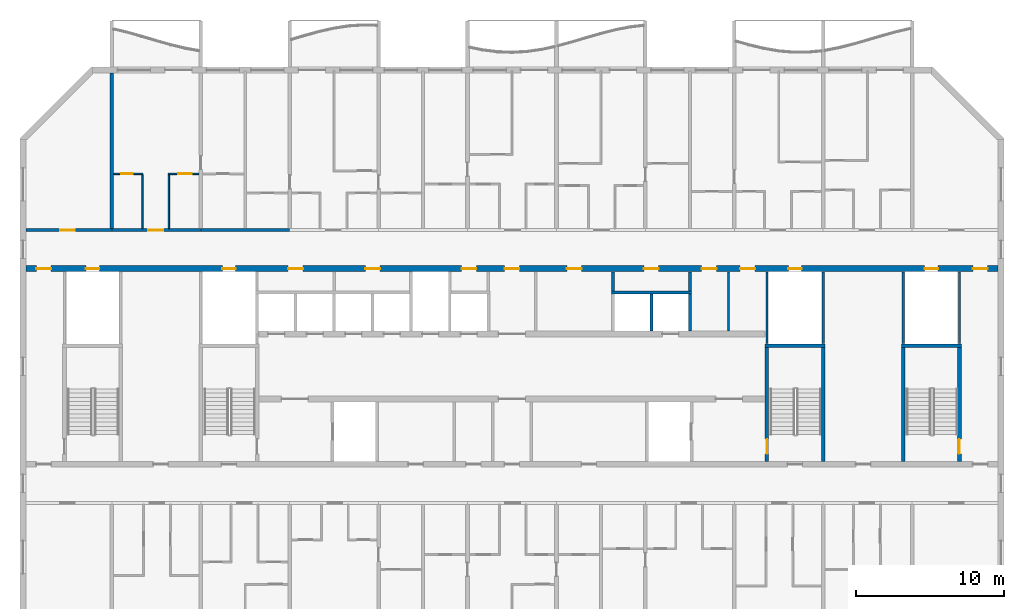
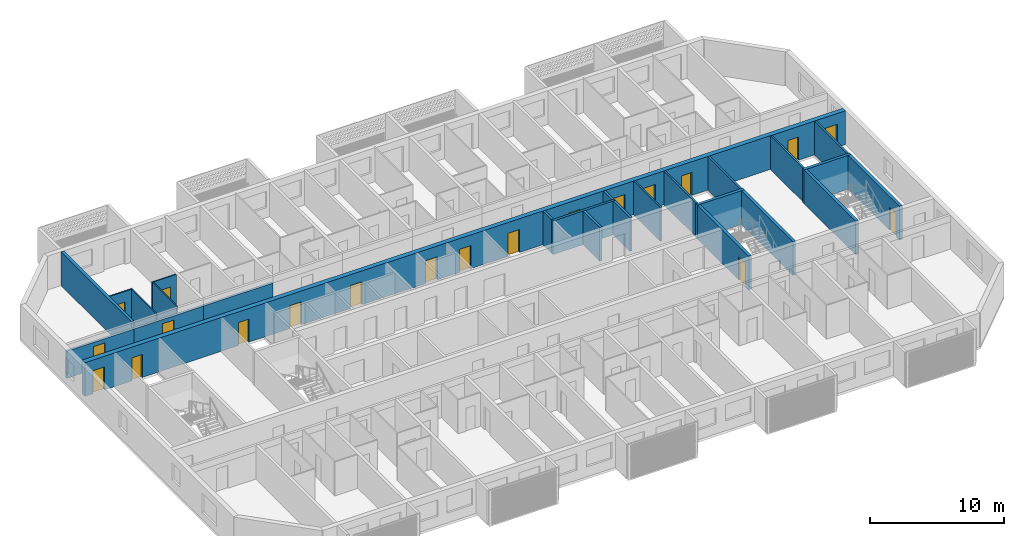
# One storey, part 7 of 26: 25 walls, 20 doors, 20 openings.
"""IFC4 building model written with IfcOpenShell, lengths in metres."""

from ifc_helpers import new_model, si_unit, direction, frame, frame_2d, origin, place, context, subcontext, project, spatial, rectangle, extrude, material, layer, layer_set, type_object, element, fill, save


model = new_model("IFC4")

# Units and contexts
model_context = context("Model", 3, precision=1e-05, world=origin(), true_north=direction((0.0, 1.0)))
body_context = subcontext(model_context, "Body", "Model", "MODEL_VIEW")
ifc_project = project(units=[si_unit("LENGTHUNIT", "METRE"), si_unit("AREAUNIT", "SQUARE_METRE"), si_unit("VOLUMEUNIT", "CUBIC_METRE"), si_unit("PLANEANGLEUNIT", "RADIAN"), si_unit("MASSUNIT", "GRAM", prefix="KILO")], contexts=[model_context])

# Site, building, storey
site_placement = place(None, origin())
site = spatial("IfcSite", under=ifc_project, at=site_placement, CompositionType="ELEMENT")
building_placement = place(site_placement, origin())
building = spatial("IfcBuilding", under=site, at=building_placement, Name="Poui Terraces", CompositionType="ELEMENT")
storey_placement = place(building_placement, frame((0.0, 0.0, 175.199951171875)))
storey = spatial("IfcBuildingStorey", under=building, at=storey_placement, Name="L48", CompositionType="ELEMENT", Elevation=175.199951171875)

# Wall, opening, door
ifc_material_1 = material(Name="Concrete 50 MPa", Category="concrete")
ifc_layer_1 = layer(ifc_material_1, 0.199951171875)
ifc_layer_set_1 = layer_set([ifc_layer_1], Name="Concrete 50 MPa")
wall_type_1 = type_object("IfcWallType", Name="CORRIDOR WALL 200 50MPa", PredefinedType="SHEAR", material=ifc_layer_set_1)
wall_1_placement = place(storey_placement, frame((18.199951171875, 30.39990234375, 0.0), z_axis=(0.0, 0.0, 1.0), x_axis=(1.0, 0.0, 0.0)))
wall_1 = element("IfcWall", 1, at=wall_1_placement, inside=storey, type_object=wall_type_1, Name="CORRIDOR WALL LINE E BAY 1", PredefinedType="SHEAR", context=body_context, shape_type="SweptSolid", body=[
    extrude(rectangle(XDim=5.800048828125, YDim=0.199951171875, at=frame_2d((2.89990234375, 0.0))), origin(), (0.0, 0.0, 1.0), 2.47998046875),
])
opening_1_placement = place(wall_1_placement, frame((2.300048828125, 0.0, 0.0)))
opening_1 = element("IfcOpeningElement", 2, at=opening_1_placement, cuts=wall_1, Name="Opening D100", PredefinedType="OPENING", context=body_context, shape_type="SweptSolid", body=[
    extrude(rectangle(XDim=1.0, YDim=2.10009765625, at=frame_2d((0.5, 1.050048828125))), frame((0.0, 0.10986328125, 0.0), z_axis=(0.0, -1.0, 0.0), x_axis=(1.0, 0.0, 0.0)), (0.0, 0.0, 1.0), 0.219970703125),
])
ifc_material_2 = material(Name="Solid core timber door", Category="wood")
door_type_1 = type_object("IfcDoorType", Name="ACCESSIBLE INTERNAL DOOR 1000 X 2100", OperationType="NOTDEFINED", PredefinedType="DOOR", material=ifc_material_2)
door_1_placement = place(opening_1_placement, origin())
door_1 = element("IfcDoor", 3, at=door_1_placement, inside=storey, type_object=door_type_1, Name="ACCESSIBLE INTERNAL DOOR 025", OperationType="SINGLE_SWING_LEFT", OverallHeight=2.10009765625, OverallWidth=1.0, PredefinedType="DOOR", context=body_context, shape_type="SweptSolid", body=[
    extrude(rectangle(XDim=1.0, YDim=2.10009765625, at=frame_2d((0.5, 1.050048828125))), frame((0.0, 0.02490234375, 0.0), z_axis=(0.0, -1.0, 0.0), x_axis=(1.0, 0.0, 0.0)), (0.0, 0.0, 1.0), 0.050048828125),
])
fill(opening_1, door_1)

wall_2_placement = place(storey_placement, frame((24.0, 30.39990234375, 0.0), z_axis=(0.0, 0.0, 1.0), x_axis=(1.0, 0.0, 0.0)))
wall_2 = element("IfcWall", 4, at=wall_2_placement, inside=storey, type_object=wall_type_1, Name="CORRIDOR WALL LINE E BAY 2", PredefinedType="SHEAR", context=body_context, shape_type="SweptSolid", body=[
    extrude(rectangle(XDim=6.0, YDim=0.199951171875, at=frame_2d((3.0, 0.0))), origin(), (0.0, 0.0, 1.0), 2.47998046875),
])
opening_2_placement = place(wall_2_placement, frame((2.449951171875, 0.0, 0.0)))
opening_2 = element("IfcOpeningElement", 5, at=opening_2_placement, cuts=wall_2, Name="Opening FD30S", PredefinedType="OPENING", context=body_context, shape_type="SweptSolid", body=[
    extrude(rectangle(XDim=1.0, YDim=2.10009765625, at=frame_2d((0.5, 1.050048828125))), frame((0.0, 0.10986328125, 0.0), z_axis=(0.0, -1.0, 0.0), x_axis=(1.0, 0.0, 0.0)), (0.0, 0.0, 1.0), 0.219970703125),
])
ifc_material_3 = material(Name="Steel fire door", Category="steel")
door_type_2 = type_object("IfcDoorType", Name="FLAT ENTRANCE DOOR 1000 X 2100", OperationType="NOTDEFINED", PredefinedType="DOOR", material=ifc_material_3)
door_2_placement = place(opening_2_placement, origin())
door_2 = element("IfcDoor", 6, at=door_2_placement, inside=storey, type_object=door_type_2, Name="FLAT ENTRANCE DOOR 028", OperationType="SINGLE_SWING_LEFT", OverallHeight=2.10009765625, OverallWidth=1.0, PredefinedType="DOOR", context=body_context, shape_type="SweptSolid", body=[
    extrude(rectangle(XDim=1.0, YDim=2.10009765625, at=frame_2d((0.5, 1.050048828125))), frame((0.0, 0.02490234375, 0.0), z_axis=(0.0, -1.0, 0.0), x_axis=(1.0, 0.0, 0.0)), (0.0, 0.0, 1.0), 0.050048828125),
])
fill(opening_2, door_2)

# Walls
wall_3_placement = place(storey_placement, frame((30.0, 30.39990234375, 0.0), z_axis=(0.0, 0.0, 1.0), x_axis=(1.0, 0.0, 0.0)))
element("IfcWall", 7, at=wall_3_placement, inside=storey, type_object=wall_type_1, Name="CORRIDOR WALL LINE E BAY 3", PredefinedType="SHEAR", context=body_context, shape_type="SweptSolid", body=[
    extrude(rectangle(XDim=6.0, YDim=0.199951171875, at=frame_2d((3.0, 0.0))), origin(), (0.0, 0.0, 1.0), 2.47998046875),
])
ifc_layer_2 = layer(ifc_material_1, 0.25)
ifc_layer_set_2 = layer_set([ifc_layer_2], Name="Concrete 50 MPa")
wall_type_2 = type_object("IfcWallType", Name="CROSS WALL 250 50MPa", PredefinedType="SHEAR", material=ifc_layer_set_2)
wall_4_placement = place(storey_placement, frame((24.0, 30.5, 0.0), z_axis=(0.0, 0.0, 1.0), x_axis=(0.0, 1.0, 0.0)))
element("IfcWall", 8, at=wall_4_placement, inside=storey, type_object=wall_type_2, Name="CROSS WALL LINE 5 NORTH", PredefinedType="SHEAR", context=body_context, shape_type="SweptSolid", body=[
    extrude(rectangle(XDim=10.5, YDim=0.25, at=frame_2d((5.25, 0.0))), origin(), (0.0, 0.0, 1.0), 3.080078125),
])

# Wall, opening, door
ifc_material_4 = material(Name="Plasterboard partition")
ifc_layer_3 = layer(ifc_material_4, 0.10009765625)
ifc_layer_set_3 = layer_set([ifc_layer_3], Name="Plasterboard partition")
wall_type_3 = type_object("IfcWallType", Name="FLAT PARTITION 100", PredefinedType="PARTITIONING", material=ifc_layer_set_3)
wall_5_placement = place(storey_placement, frame((24.135009765625, 34.199951171875, 0.0), z_axis=(0.0, 0.0, 1.0), x_axis=(1.0, 0.0, 0.0)))
wall_5 = element("IfcWall", 9, at=wall_5_placement, inside=storey, type_object=wall_type_3, Name="FLAT PARTITION 100", PredefinedType="PARTITIONING", context=body_context, shape_type="SweptSolid", body=[
    extrude(rectangle(XDim=1.965087890625, YDim=0.10009765625, at=frame_2d((0.982421875, 0.0))), origin(), (0.0, 0.0, 1.0), 3.080078125),
])
opening_3_placement = place(wall_5_placement, frame((0.489990234375, 0.0, 0.0)))
opening_3 = element("IfcOpeningElement", 10, at=opening_3_placement, cuts=wall_5, Name="Opening D80", PredefinedType="OPENING", context=body_context, shape_type="SweptSolid", body=[
    extrude(rectangle(XDim=0.800048828125, YDim=2.10009765625, at=frame_2d((0.39990234375, 1.050048828125))), frame((0.0, 0.06005859375, 0.0), z_axis=(0.0, -1.0, 0.0), x_axis=(1.0, 0.0, 0.0)), (0.0, 0.0, 1.0), 0.1201171875),
])
door_type_3 = type_object("IfcDoorType", Name="BATHROOM, LAUNDRY AND STORE DOOR 800 X 2100", OperationType="NOTDEFINED", PredefinedType="DOOR", material=ifc_material_2)
door_3_placement = place(opening_3_placement, frame((0.800048828125, 0.0, 0.0), z_axis=(0.0, 0.0, 1.0), x_axis=(-1.0, 0.0, 0.0)))
door_3 = element("IfcDoor", 11, at=door_3_placement, inside=storey, type_object=door_type_3, Name="BATHROOM, LAUNDRY AND STORE DOOR 027", OperationType="SINGLE_SWING_RIGHT", OverallHeight=2.10009765625, OverallWidth=0.800048828125, PredefinedType="DOOR", context=body_context, shape_type="SweptSolid", body=[
    extrude(rectangle(XDim=0.800048828125, YDim=2.10009765625, at=frame_2d((0.39990234375, 1.050048828125))), frame((0.0, 0.02490234375, 0.0), z_axis=(0.0, -1.0, 0.0), x_axis=(1.0, 0.0, 0.0)), (0.0, 0.0, 1.0), 0.050048828125),
])
fill(opening_3, door_3)

wall_6_placement = place(storey_placement, frame((27.800048828125, 34.199951171875, 0.0), z_axis=(0.0, 0.0, 1.0), x_axis=(1.0, 0.0, 0.0)))
wall_6 = element("IfcWall", 12, at=wall_6_placement, inside=storey, type_object=wall_type_3, Name="FLAT PARTITION 100", PredefinedType="PARTITIONING", context=body_context, shape_type="SweptSolid", body=[
    extrude(rectangle(XDim=2.06494140625, YDim=0.10009765625, at=frame_2d((1.032470703125, 0.0))), origin(), (0.0, 0.0, 1.0), 3.080078125),
])
opening_4_placement = place(wall_6_placement, frame((0.675048828125, 0.0, 0.0)))
opening_4 = element("IfcOpeningElement", 13, at=opening_4_placement, cuts=wall_6, Name="Opening D90", PredefinedType="OPENING", context=body_context, shape_type="SweptSolid", body=[
    extrude(rectangle(XDim=0.89990234375, YDim=2.10009765625, at=frame_2d((0.449951171875, 1.050048828125))), frame((0.0, 0.06005859375, 0.0), z_axis=(0.0, -1.0, 0.0), x_axis=(1.0, 0.0, 0.0)), (0.0, 0.0, 1.0), 0.1201171875),
])
door_type_4 = type_object("IfcDoorType", Name="INTERNAL DOOR 900 X 2100", OperationType="NOTDEFINED", PredefinedType="DOOR", material=ifc_material_2)
door_4_placement = place(opening_4_placement, frame((0.89990234375, 0.0, 0.0), z_axis=(0.0, 0.0, 1.0), x_axis=(-1.0, 0.0, 0.0)))
door_4 = element("IfcDoor", 14, at=door_4_placement, inside=storey, type_object=door_type_4, Name="INTERNAL DOOR 029", OperationType="SINGLE_SWING_LEFT", OverallHeight=2.10009765625, OverallWidth=0.89990234375, PredefinedType="DOOR", context=body_context, shape_type="SweptSolid", body=[
    extrude(rectangle(XDim=0.89990234375, YDim=2.10009765625, at=frame_2d((0.449951171875, 1.050048828125))), frame((0.0, 0.02490234375, 0.0), z_axis=(0.0, -1.0, 0.0), x_axis=(1.0, 0.0, 0.0)), (0.0, 0.0, 1.0), 0.050048828125),
])
fill(opening_4, door_4)

# Walls
for number, where, z_axis, x_axis, name in (
    (15, (26.050048828125, 30.510009765625, 0.0), (0.0, 0.0, 1.0), (0.0, 1.0, 0.0), "FLAT PARTITION 100"),
    (16, (27.85009765625, 30.510009765625, 0.0), (0.0, 0.0, 1.0), (0.0, 1.0, 0.0), "FLAT PARTITION 100"),
):
    element("IfcWall", number, at=place(storey_placement, frame(where, z_axis=z_axis, x_axis=x_axis)), inside=storey, type_object=wall_type_3, Name=name, PredefinedType="PARTITIONING", context=body_context, shape_type="SweptSolid", body=[
        extrude(rectangle(XDim=3.639892578125, YDim=0.10009765625, at=frame_2d((1.81982421875, 0.0))), origin(), (0.0, 0.0, 1.0), 3.080078125),
    ])
ifc_layer_4 = layer(ifc_material_4, 0.14990234375)
ifc_layer_set_4 = layer_set([ifc_layer_4], Name="Plasterboard partition")
wall_type_4 = type_object("IfcWallType", Name="PARTITION WALL 150", PredefinedType="PARTITIONING", material=ifc_layer_set_4)
wall_7_placement = place(storey_placement, frame((65.60009765625, 23.610107421875, 0.0), z_axis=(0.0, 0.0, 1.0), x_axis=(0.0, 1.0, 0.0)))
element("IfcWall", 17, at=wall_7_placement, inside=storey, type_object=wall_type_4, Name="PARTITION WALL 150", PredefinedType="PARTITIONING", context=body_context, shape_type="SweptSolid", body=[
    extrude(rectangle(XDim=3.97998046875, YDim=0.14990234375, at=frame_2d((1.989990234375, 0.0))), origin(), (0.0, 0.0, 1.0), 3.080078125),
])
ifc_material_5 = material(Name="Fire-rated masonry wall", Category="masonry")
ifc_layer_5 = layer(ifc_material_5, 0.199951171875)
ifc_layer_set_5 = layer_set([ifc_layer_5], Name="Fire-rated masonry wall")
wall_type_5 = type_object("IfcWallType", Name="PLANT ROOM WALL 200", PredefinedType="PARTITIONING", material=ifc_layer_set_5)
for number, where, z_axis, x_axis, name in (
    (18, (57.800048828125, 26.300048828125, 0.0), (0.0, 0.0, 1.0), (0.0, 1.0, 0.0), "PLANT ROOM WALL 200"),
    (19, (63.0, 26.300048828125, 0.0), (0.0, 0.0, 1.0), (0.0, 1.0, 0.0), "PLANT ROOM WALL 200"),
):
    element("IfcWall", number, at=place(storey_placement, frame(where, z_axis=z_axis, x_axis=x_axis)), inside=storey, type_object=wall_type_5, Name=name, PredefinedType="PARTITIONING", context=body_context, shape_type="SweptSolid", body=[
        extrude(rectangle(XDim=1.2900390625, YDim=0.199951171875, at=frame_2d((0.64501953125, 0.0))), origin(), (0.0, 0.0, 1.0), 3.080078125),
    ])
ifc_material_6 = material(Name="Fire-rated plasterboard riser wall")
ifc_layer_6 = layer(ifc_material_6, 0.14990234375)
ifc_layer_set_6 = layer_set([ifc_layer_6], Name="Fire-rated plasterboard riser wall")
wall_type_6 = type_object("IfcWallType", Name="RISER WALL 150", PredefinedType="PARTITIONING", material=ifc_layer_set_6)
for number, where, z_axis, x_axis, name in (
    (20, (68.199951171875, 22.735107421875, 0.0), (0.0, 0.0, 1.0), (0.0, 1.0, 0.0), "RISER WALL 150"),
    (21, (72.0, 22.735107421875, 0.0), (0.0, 0.0, 1.0), (0.0, 1.0, 0.0), "RISER WALL 150"),
    (22, (77.39990234375, 22.735107421875, 0.0), (0.0, 0.0, 1.0), (0.0, 1.0, 0.0), "RISER WALL 150"),
    (23, (81.199951171875, 22.735107421875, 0.0), (0.0, 0.0, 1.0), (0.0, 1.0, 0.0), "RISER WALL 150"),
):
    element("IfcWall", number, at=place(storey_placement, frame(where, z_axis=z_axis, x_axis=x_axis)), inside=storey, type_object=wall_type_6, Name=name, PredefinedType="PARTITIONING", context=body_context, shape_type="SweptSolid", body=[
        extrude(rectangle(XDim=4.85498046875, YDim=0.14990234375, at=frame_2d((2.427490234375, 0.0))), origin(), (0.0, 0.0, 1.0), 3.080078125),
    ])
ifc_material_7 = material(Name="Fire-rated masonry shaft wall", Category="masonry")
ifc_layer_7 = layer(ifc_material_7, 0.199951171875)
ifc_layer_set_7 = layer_set([ifc_layer_7], Name="Fire-rated masonry shaft wall")
wall_type_7 = type_object("IfcWallType", Name="SHAFT WALL 200", PredefinedType="PARTITIONING", material=ifc_layer_set_7)
wall_8_placement = place(storey_placement, frame((57.699951171875, 26.199951171875, 0.0), z_axis=(0.0, 0.0, 1.0), x_axis=(1.0, 0.0, 0.0)))
element("IfcWall", 24, at=wall_8_placement, inside=storey, type_object=wall_type_7, Name="SHAFT WALL 200", PredefinedType="PARTITIONING", context=body_context, shape_type="SweptSolid", body=[
    extrude(rectangle(XDim=5.400146484375, YDim=0.199951171875, at=frame_2d((2.7001953125, 0.0))), origin(), (0.0, 0.0, 1.0), 3.080078125),
])
for number, where, z_axis, x_axis, name in (
    (25, (60.39990234375, 23.610107421875, 0.0), (0.0, 0.0, 1.0), (0.0, 1.0, 0.0), "SHAFT WALL 200"),
    (26, (63.0, 23.610107421875, 0.0), (0.0, 0.0, 1.0), (0.0, 1.0, 0.0), "SHAFT WALL 200"),
):
    element("IfcWall", number, at=place(storey_placement, frame(where, z_axis=z_axis, x_axis=x_axis)), inside=storey, type_object=wall_type_7, Name=name, PredefinedType="PARTITIONING", context=body_context, shape_type="SweptSolid", body=[
        extrude(rectangle(XDim=2.489990234375, YDim=0.199951171875, at=frame_2d((1.2451171875, 0.0))), origin(), (0.0, 0.0, 1.0), 3.080078125),
    ])

# Wall, openings, doors
ifc_layer_8 = layer(ifc_material_1, 0.39990234375)
ifc_layer_set_8 = layer_set([ifc_layer_8], Name="Concrete 50 MPa")
wall_type_8 = type_object("IfcWallType", Name="SPINE WALL 400 50 MPA", PredefinedType="SOLIDWALL", material=ifc_layer_set_8)
wall_9_placement = place(storey_placement, frame((18.199951171875, 27.800048828125, 0.0), z_axis=(0.0, 0.0, 1.0), x_axis=(1.0, 0.0, 0.0)))
wall_9 = element("IfcWall", 27, at=wall_9_placement, inside=storey, type_object=wall_type_8, Name="SPINE WALL", PredefinedType="SOLIDWALL", context=body_context, shape_type="SweptSolid", body=[
    extrude(rectangle(XDim=65.60009765625, YDim=0.39990234375, at=frame_2d((32.800048828125, 0.0))), origin(), (0.0, 0.0, 1.0), 3.080078125),
])
opening_5_placement = place(wall_9_placement, frame((0.699951171875, 0.0, 0.0)))
opening_5 = element("IfcOpeningElement", 28, at=opening_5_placement, cuts=wall_9, Name="Opening FDL", PredefinedType="OPENING", context=body_context, shape_type="SweptSolid", body=[
    extrude(rectangle(XDim=1.0, YDim=2.10009765625, at=frame_2d((0.5, 1.050048828125))), frame((0.0, 0.2099609375, 0.0), z_axis=(0.0, -1.0, 0.0), x_axis=(1.0, 0.0, 0.0)), (0.0, 0.0, 1.0), 0.419921875),
])
opening_6_placement = place(wall_9_placement, frame((4.050048828125, 0.0, 0.0)))
opening_6 = element("IfcOpeningElement", 29, at=opening_6_placement, cuts=wall_9, Name="Opening FDR", PredefinedType="OPENING", context=body_context, shape_type="SweptSolid", body=[
    extrude(rectangle(XDim=0.89990234375, YDim=2.10009765625, at=frame_2d((0.449951171875, 1.050048828125))), frame((0.0, 0.2099609375, 0.0), z_axis=(0.0, -1.0, 0.0), x_axis=(1.0, 0.0, 0.0)), (0.0, 0.0, 1.0), 0.419921875),
])
opening_7_placement = place(wall_9_placement, frame((13.25, 0.0, 0.0)))
opening_7 = element("IfcOpeningElement", 30, at=opening_7_placement, cuts=wall_9, Name="Opening FDR", PredefinedType="OPENING", context=body_context, shape_type="SweptSolid", body=[
    extrude(rectangle(XDim=0.89990234375, YDim=2.10009765625, at=frame_2d((0.449951171875, 1.050048828125))), frame((0.0, 0.2099609375, 0.0), z_axis=(0.0, -1.0, 0.0), x_axis=(1.0, 0.0, 0.0)), (0.0, 0.0, 1.0), 0.419921875),
])
opening_8_placement = place(wall_9_placement, frame((17.699951171875, 0.0, 0.0)))
opening_8 = element("IfcOpeningElement", 31, at=opening_8_placement, cuts=wall_9, Name="Opening FD60", PredefinedType="OPENING", context=body_context, shape_type="SweptSolid", body=[
    extrude(rectangle(XDim=1.0, YDim=2.10009765625, at=frame_2d((0.5, 1.050048828125))), frame((0.0, 0.2099609375, 0.0), z_axis=(0.0, -1.0, 0.0), x_axis=(1.0, 0.0, 0.0)), (0.0, 0.0, 1.0), 0.419921875),
])
opening_9_placement = place(wall_9_placement, frame((22.89990234375, 0.0, 0.0)))
opening_9 = element("IfcOpeningElement", 32, at=opening_9_placement, cuts=wall_9, Name="Opening FD60", PredefinedType="OPENING", context=body_context, shape_type="SweptSolid", body=[
    extrude(rectangle(XDim=1.0, YDim=2.10009765625, at=frame_2d((0.5, 1.050048828125))), frame((0.0, 0.2099609375, 0.0), z_axis=(0.0, -1.0, 0.0), x_axis=(1.0, 0.0, 0.0)), (0.0, 0.0, 1.0), 0.419921875),
])
opening_10_placement = place(wall_9_placement, frame((29.39990234375, 0.0, 0.0)))
opening_10 = element("IfcOpeningElement", 33, at=opening_10_placement, cuts=wall_9, Name="Opening FD60", PredefinedType="OPENING", context=body_context, shape_type="SweptSolid", body=[
    extrude(rectangle(XDim=1.0, YDim=2.10009765625, at=frame_2d((0.5, 1.050048828125))), frame((0.0, 0.2099609375, 0.0), z_axis=(0.0, -1.0, 0.0), x_axis=(1.0, 0.0, 0.0)), (0.0, 0.0, 1.0), 0.419921875),
])
opening_11_placement = place(wall_9_placement, frame((32.300048828125, 0.0, 0.0)))
opening_11 = element("IfcOpeningElement", 34, at=opening_11_placement, cuts=wall_9, Name="Opening FDL", PredefinedType="OPENING", context=body_context, shape_type="SweptSolid", body=[
    extrude(rectangle(XDim=1.0, YDim=2.10009765625, at=frame_2d((0.5, 1.050048828125))), frame((0.0, 0.2099609375, 0.0), z_axis=(0.0, -1.0, 0.0), x_axis=(1.0, 0.0, 0.0)), (0.0, 0.0, 1.0), 0.419921875),
])
opening_12_placement = place(wall_9_placement, frame((36.5, 0.0, 0.0)))
opening_12 = element("IfcOpeningElement", 35, at=opening_12_placement, cuts=wall_9, Name="Opening FD60", PredefinedType="OPENING", context=body_context, shape_type="SweptSolid", body=[
    extrude(rectangle(XDim=1.0, YDim=2.10009765625, at=frame_2d((0.5, 1.050048828125))), frame((0.0, 0.2099609375, 0.0), z_axis=(0.0, -1.0, 0.0), x_axis=(1.0, 0.0, 0.0)), (0.0, 0.0, 1.0), 0.419921875),
])
opening_13_placement = place(wall_9_placement, frame((41.699951171875, 0.0, 0.0)))
opening_13 = element("IfcOpeningElement", 36, at=opening_13_placement, cuts=wall_9, Name="Opening FD60", PredefinedType="OPENING", context=body_context, shape_type="SweptSolid", body=[
    extrude(rectangle(XDim=1.0, YDim=2.10009765625, at=frame_2d((0.5, 1.050048828125))), frame((0.0, 0.2099609375, 0.0), z_axis=(0.0, -1.0, 0.0), x_axis=(1.0, 0.0, 0.0)), (0.0, 0.0, 1.0), 0.419921875),
])
opening_14_placement = place(wall_9_placement, frame((45.60009765625, 0.0, 0.0)))
opening_14 = element("IfcOpeningElement", 37, at=opening_14_placement, cuts=wall_9, Name="Opening FD60", PredefinedType="OPENING", context=body_context, shape_type="SweptSolid", body=[
    extrude(rectangle(XDim=1.0, YDim=2.10009765625, at=frame_2d((0.5, 1.050048828125))), frame((0.0, 0.2099609375, 0.0), z_axis=(0.0, -1.0, 0.0), x_axis=(1.0, 0.0, 0.0)), (0.0, 0.0, 1.0), 0.419921875),
])
opening_15_placement = place(wall_9_placement, frame((48.199951171875, 0.0, 0.0)))
opening_15 = element("IfcOpeningElement", 38, at=opening_15_placement, cuts=wall_9, Name="Opening FD60", PredefinedType="OPENING", context=body_context, shape_type="SweptSolid", body=[
    extrude(rectangle(XDim=1.0, YDim=2.10009765625, at=frame_2d((0.5, 1.050048828125))), frame((0.0, 0.2099609375, 0.0), z_axis=(0.0, -1.0, 0.0), x_axis=(1.0, 0.0, 0.0)), (0.0, 0.0, 1.0), 0.419921875),
])
opening_16_placement = place(wall_9_placement, frame((51.449951171875, 0.0, 0.0)))
opening_16 = element("IfcOpeningElement", 39, at=opening_16_placement, cuts=wall_9, Name="Opening FDR", PredefinedType="OPENING", context=body_context, shape_type="SweptSolid", body=[
    extrude(rectangle(XDim=0.89990234375, YDim=2.10009765625, at=frame_2d((0.449951171875, 1.050048828125))), frame((0.0, 0.2099609375, 0.0), z_axis=(0.0, -1.0, 0.0), x_axis=(1.0, 0.0, 0.0)), (0.0, 0.0, 1.0), 0.419921875),
])
opening_17_placement = place(wall_9_placement, frame((60.64990234375, 0.0, 0.0)))
opening_17 = element("IfcOpeningElement", 40, at=opening_17_placement, cuts=wall_9, Name="Opening FDR", PredefinedType="OPENING", context=body_context, shape_type="SweptSolid", body=[
    extrude(rectangle(XDim=0.89990234375, YDim=2.10009765625, at=frame_2d((0.449951171875, 1.050048828125))), frame((0.0, 0.2099609375, 0.0), z_axis=(0.0, -1.0, 0.0), x_axis=(1.0, 0.0, 0.0)), (0.0, 0.0, 1.0), 0.419921875),
])
opening_18_placement = place(wall_9_placement, frame((63.89990234375, 0.0, 0.0)))
opening_18 = element("IfcOpeningElement", 41, at=opening_18_placement, cuts=wall_9, Name="Opening FDL", PredefinedType="OPENING", context=body_context, shape_type="SweptSolid", body=[
    extrude(rectangle(XDim=1.0, YDim=2.10009765625, at=frame_2d((0.5, 1.050048828125))), frame((0.0, 0.2099609375, 0.0), z_axis=(0.0, -1.0, 0.0), x_axis=(1.0, 0.0, 0.0)), (0.0, 0.0, 1.0), 0.419921875),
])
door_type_5 = type_object("IfcDoorType", Name="LOBBY FIRE DOOR 1000 X 2100", OperationType="NOTDEFINED", PredefinedType="DOOR", material=ifc_material_3)
door_5_placement = place(opening_5_placement, origin())
door_5 = element("IfcDoor", 42, at=door_5_placement, inside=storey, type_object=door_type_5, Name="LOBBY FIRE DOOR 001", OperationType="SINGLE_SWING_LEFT", OverallHeight=2.10009765625, OverallWidth=1.0, PredefinedType="DOOR", context=body_context, shape_type="SweptSolid", body=[
    extrude(rectangle(XDim=1.0, YDim=2.10009765625, at=frame_2d((0.5, 1.050048828125))), frame((0.0, 0.02490234375, 0.0), z_axis=(0.0, -1.0, 0.0), x_axis=(1.0, 0.0, 0.0)), (0.0, 0.0, 1.0), 0.050048828125),
])
fill(opening_5, door_5)
door_6_placement = place(opening_11_placement, origin())
door_6 = element("IfcDoor", 43, at=door_6_placement, inside=storey, type_object=door_type_5, Name="LOBBY FIRE DOOR 007", OperationType="SINGLE_SWING_RIGHT", OverallHeight=2.10009765625, OverallWidth=1.0, PredefinedType="DOOR", context=body_context, shape_type="SweptSolid", body=[
    extrude(rectangle(XDim=1.0, YDim=2.10009765625, at=frame_2d((0.5, 1.050048828125))), frame((0.0, 0.02490234375, 0.0), z_axis=(0.0, -1.0, 0.0), x_axis=(1.0, 0.0, 0.0)), (0.0, 0.0, 1.0), 0.050048828125),
])
fill(opening_11, door_6)
door_7_placement = place(opening_18_placement, origin())
door_7 = element("IfcDoor", 44, at=door_7_placement, inside=storey, type_object=door_type_5, Name="LOBBY FIRE DOOR 014", OperationType="SINGLE_SWING_RIGHT", OverallHeight=2.10009765625, OverallWidth=1.0, PredefinedType="DOOR", context=body_context, shape_type="SweptSolid", body=[
    extrude(rectangle(XDim=1.0, YDim=2.10009765625, at=frame_2d((0.5, 1.050048828125))), frame((0.0, 0.02490234375, 0.0), z_axis=(0.0, -1.0, 0.0), x_axis=(1.0, 0.0, 0.0)), (0.0, 0.0, 1.0), 0.050048828125),
])
fill(opening_18, door_7)
door_type_6 = type_object("IfcDoorType", Name="RISER CUPBOARD DOOR 900 X 2100", OperationType="NOTDEFINED", PredefinedType="DOOR", material=ifc_material_3)
door_8_placement = place(opening_6_placement, origin())
door_8 = element("IfcDoor", 45, at=door_8_placement, inside=storey, type_object=door_type_6, Name="RISER CUPBOARD DOOR 002", OperationType="SINGLE_SWING_LEFT", OverallHeight=2.10009765625, OverallWidth=0.89990234375, PredefinedType="DOOR", context=body_context, shape_type="SweptSolid", body=[
    extrude(rectangle(XDim=0.89990234375, YDim=2.10009765625, at=frame_2d((0.449951171875, 1.050048828125))), frame((0.0, 0.02490234375, 0.0), z_axis=(0.0, -1.0, 0.0), x_axis=(1.0, 0.0, 0.0)), (0.0, 0.0, 1.0), 0.050048828125),
])
fill(opening_6, door_8)
door_9_placement = place(opening_7_placement, origin())
door_9 = element("IfcDoor", 46, at=door_9_placement, inside=storey, type_object=door_type_6, Name="RISER CUPBOARD DOOR 003", OperationType="SINGLE_SWING_LEFT", OverallHeight=2.10009765625, OverallWidth=0.89990234375, PredefinedType="DOOR", context=body_context, shape_type="SweptSolid", body=[
    extrude(rectangle(XDim=0.89990234375, YDim=2.10009765625, at=frame_2d((0.449951171875, 1.050048828125))), frame((0.0, 0.02490234375, 0.0), z_axis=(0.0, -1.0, 0.0), x_axis=(1.0, 0.0, 0.0)), (0.0, 0.0, 1.0), 0.050048828125),
])
fill(opening_7, door_9)
door_10_placement = place(opening_16_placement, origin())
door_10 = element("IfcDoor", 47, at=door_10_placement, inside=storey, type_object=door_type_6, Name="RISER CUPBOARD DOOR 012", OperationType="SINGLE_SWING_RIGHT", OverallHeight=2.10009765625, OverallWidth=0.89990234375, PredefinedType="DOOR", context=body_context, shape_type="SweptSolid", body=[
    extrude(rectangle(XDim=0.89990234375, YDim=2.10009765625, at=frame_2d((0.449951171875, 1.050048828125))), frame((0.0, 0.02490234375, 0.0), z_axis=(0.0, -1.0, 0.0), x_axis=(1.0, 0.0, 0.0)), (0.0, 0.0, 1.0), 0.050048828125),
])
fill(opening_16, door_10)
door_11_placement = place(opening_17_placement, origin())
door_11 = element("IfcDoor", 48, at=door_11_placement, inside=storey, type_object=door_type_6, Name="RISER CUPBOARD DOOR 013", OperationType="SINGLE_SWING_RIGHT", OverallHeight=2.10009765625, OverallWidth=0.89990234375, PredefinedType="DOOR", context=body_context, shape_type="SweptSolid", body=[
    extrude(rectangle(XDim=0.89990234375, YDim=2.10009765625, at=frame_2d((0.449951171875, 1.050048828125))), frame((0.0, 0.02490234375, 0.0), z_axis=(0.0, -1.0, 0.0), x_axis=(1.0, 0.0, 0.0)), (0.0, 0.0, 1.0), 0.050048828125),
])
fill(opening_17, door_11)
door_type_7 = type_object("IfcDoorType", Name="SERVICE ROOM FIRE DOOR 1000 X 2100", OperationType="NOTDEFINED", PredefinedType="DOOR", material=ifc_material_3)
door_12_placement = place(opening_8_placement, origin())
door_12 = element("IfcDoor", 49, at=door_12_placement, inside=storey, type_object=door_type_7, Name="SERVICE ROOM FIRE DOOR 004", OperationType="SINGLE_SWING_RIGHT", OverallHeight=2.10009765625, OverallWidth=1.0, PredefinedType="DOOR", context=body_context, shape_type="SweptSolid", body=[
    extrude(rectangle(XDim=1.0, YDim=2.10009765625, at=frame_2d((0.5, 1.050048828125))), frame((0.0, 0.02490234375, 0.0), z_axis=(0.0, -1.0, 0.0), x_axis=(1.0, 0.0, 0.0)), (0.0, 0.0, 1.0), 0.050048828125),
])
fill(opening_8, door_12)
door_13_placement = place(opening_9_placement, origin())
door_13 = element("IfcDoor", 50, at=door_13_placement, inside=storey, type_object=door_type_7, Name="SERVICE ROOM FIRE DOOR 005", OperationType="SINGLE_SWING_LEFT", OverallHeight=2.10009765625, OverallWidth=1.0, PredefinedType="DOOR", context=body_context, shape_type="SweptSolid", body=[
    extrude(rectangle(XDim=1.0, YDim=2.10009765625, at=frame_2d((0.5, 1.050048828125))), frame((0.0, 0.02490234375, 0.0), z_axis=(0.0, -1.0, 0.0), x_axis=(1.0, 0.0, 0.0)), (0.0, 0.0, 1.0), 0.050048828125),
])
fill(opening_9, door_13)
door_14_placement = place(opening_10_placement, origin())
door_14 = element("IfcDoor", 51, at=door_14_placement, inside=storey, type_object=door_type_7, Name="SERVICE ROOM FIRE DOOR 006", OperationType="SINGLE_SWING_RIGHT", OverallHeight=2.10009765625, OverallWidth=1.0, PredefinedType="DOOR", context=body_context, shape_type="SweptSolid", body=[
    extrude(rectangle(XDim=1.0, YDim=2.10009765625, at=frame_2d((0.5, 1.050048828125))), frame((0.0, 0.02490234375, 0.0), z_axis=(0.0, -1.0, 0.0), x_axis=(1.0, 0.0, 0.0)), (0.0, 0.0, 1.0), 0.050048828125),
])
fill(opening_10, door_14)
door_15_placement = place(opening_12_placement, origin())
door_15 = element("IfcDoor", 52, at=door_15_placement, inside=storey, type_object=door_type_7, Name="SERVICE ROOM FIRE DOOR 008", OperationType="SINGLE_SWING_LEFT", OverallHeight=2.10009765625, OverallWidth=1.0, PredefinedType="DOOR", context=body_context, shape_type="SweptSolid", body=[
    extrude(rectangle(XDim=1.0, YDim=2.10009765625, at=frame_2d((0.5, 1.050048828125))), frame((0.0, 0.02490234375, 0.0), z_axis=(0.0, -1.0, 0.0), x_axis=(1.0, 0.0, 0.0)), (0.0, 0.0, 1.0), 0.050048828125),
])
fill(opening_12, door_15)
door_16_placement = place(opening_13_placement, origin())
door_16 = element("IfcDoor", 53, at=door_16_placement, inside=storey, type_object=door_type_7, Name="SERVICE ROOM FIRE DOOR 009", OperationType="SINGLE_SWING_RIGHT", OverallHeight=2.10009765625, OverallWidth=1.0, PredefinedType="DOOR", context=body_context, shape_type="SweptSolid", body=[
    extrude(rectangle(XDim=1.0, YDim=2.10009765625, at=frame_2d((0.5, 1.050048828125))), frame((0.0, 0.02490234375, 0.0), z_axis=(0.0, -1.0, 0.0), x_axis=(1.0, 0.0, 0.0)), (0.0, 0.0, 1.0), 0.050048828125),
])
fill(opening_13, door_16)
door_17_placement = place(opening_14_placement, origin())
door_17 = element("IfcDoor", 54, at=door_17_placement, inside=storey, type_object=door_type_7, Name="SERVICE ROOM FIRE DOOR 010", OperationType="SINGLE_SWING_LEFT", OverallHeight=2.10009765625, OverallWidth=1.0, PredefinedType="DOOR", context=body_context, shape_type="SweptSolid", body=[
    extrude(rectangle(XDim=1.0, YDim=2.10009765625, at=frame_2d((0.5, 1.050048828125))), frame((0.0, 0.02490234375, 0.0), z_axis=(0.0, -1.0, 0.0), x_axis=(1.0, 0.0, 0.0)), (0.0, 0.0, 1.0), 0.050048828125),
])
fill(opening_14, door_17)
door_18_placement = place(opening_15_placement, origin())
door_18 = element("IfcDoor", 55, at=door_18_placement, inside=storey, type_object=door_type_7, Name="SERVICE ROOM FIRE DOOR 011", OperationType="SINGLE_SWING_RIGHT", OverallHeight=2.10009765625, OverallWidth=1.0, PredefinedType="DOOR", context=body_context, shape_type="SweptSolid", body=[
    extrude(rectangle(XDim=1.0, YDim=2.10009765625, at=frame_2d((0.5, 1.050048828125))), frame((0.0, 0.02490234375, 0.0), z_axis=(0.0, -1.0, 0.0), x_axis=(1.0, 0.0, 0.0)), (0.0, 0.0, 1.0), 0.050048828125),
])
fill(opening_15, door_18)

# Wall, opening, door
ifc_layer_9 = layer(ifc_material_1, 0.25)
ifc_layer_set_9 = layer_set([ifc_layer_9], Name="Concrete 50 MPa")
wall_type_9 = type_object("IfcWallType", Name="STAIR CORE WALL 250 50 MPA", PredefinedType="SOLIDWALL", material=ifc_layer_set_9)
wall_10_placement = place(storey_placement, frame((68.199951171875, 14.800048828125, 0.0), z_axis=(0.0, 0.0, 1.0), x_axis=(0.0, 1.0, 0.0)))
wall_10 = element("IfcWall", 56, at=wall_10_placement, inside=storey, type_object=wall_type_9, Name="STAIR CORE WALL", PredefinedType="SOLIDWALL", context=body_context, shape_type="SweptSolid", body=[
    extrude(rectangle(XDim=7.675048828125, YDim=0.25, at=frame_2d((3.83740234375, 0.0))), origin(), (0.0, 0.0, 1.0), 3.080078125),
])
opening_19_placement = place(wall_10_placement, frame((0.5, 0.0, 0.0)))
opening_19 = element("IfcOpeningElement", 57, at=opening_19_placement, cuts=wall_10, Name="Opening FD60S", PredefinedType="OPENING", context=body_context, shape_type="SweptSolid", body=[
    extrude(rectangle(XDim=1.0, YDim=2.10009765625, at=frame_2d((0.5, 1.050048828125))), frame((0.0, 0.135009765625, 0.0), z_axis=(0.0, -1.0, 0.0), x_axis=(1.0, 0.0, 0.0)), (0.0, 0.0, 1.0), 0.27001953125),
])
door_type_8 = type_object("IfcDoorType", Name="STAIR DOOR 1000 X 2100", OperationType="NOTDEFINED", PredefinedType="DOOR", material=ifc_material_3)
door_19_placement = place(opening_19_placement, frame((1.0, 0.0, 0.0), z_axis=(0.0, 0.0, 1.0), x_axis=(-1.0, 0.0, 0.0)))
door_19 = element("IfcDoor", 58, at=door_19_placement, inside=storey, type_object=door_type_8, Name="STAIR DOOR 096", OperationType="SINGLE_SWING_LEFT", OverallHeight=2.10009765625, OverallWidth=1.0, PredefinedType="DOOR", context=body_context, shape_type="SweptSolid", body=[
    extrude(rectangle(XDim=1.0, YDim=2.10009765625, at=frame_2d((0.5, 1.050048828125))), frame((0.0, 0.02490234375, 0.0), z_axis=(0.0, -1.0, 0.0), x_axis=(1.0, 0.0, 0.0)), (0.0, 0.0, 1.0), 0.050048828125),
])
fill(opening_19, door_19)

# Walls
wall_11_placement = place(storey_placement, frame((72.0, 14.800048828125, 0.0), z_axis=(0.0, 0.0, 1.0), x_axis=(0.0, 1.0, 0.0)))
element("IfcWall", 59, at=wall_11_placement, inside=storey, type_object=wall_type_9, Name="STAIR CORE WALL", PredefinedType="SOLIDWALL", context=body_context, shape_type="SweptSolid", body=[
    extrude(rectangle(XDim=7.675048828125, YDim=0.25, at=frame_2d((3.83740234375, 0.0))), origin(), (0.0, 0.0, 1.0), 3.080078125),
])
wall_12_placement = place(storey_placement, frame((68.074951171875, 22.60009765625, 0.0), z_axis=(0.0, 0.0, 1.0), x_axis=(1.0, 0.0, 0.0)))
element("IfcWall", 60, at=wall_12_placement, inside=storey, type_object=wall_type_9, Name="STAIR CORE WALL", PredefinedType="SOLIDWALL", context=body_context, shape_type="SweptSolid", body=[
    extrude(rectangle(XDim=4.050048828125, YDim=0.25, at=frame_2d((2.02490234375, 0.0))), origin(), (0.0, 0.0, 1.0), 3.080078125),
])
wall_13_placement = place(storey_placement, frame((77.39990234375, 14.800048828125, 0.0), z_axis=(0.0, 0.0, 1.0), x_axis=(0.0, 1.0, 0.0)))
element("IfcWall", 61, at=wall_13_placement, inside=storey, type_object=wall_type_9, Name="STAIR CORE WALL", PredefinedType="SOLIDWALL", context=body_context, shape_type="SweptSolid", body=[
    extrude(rectangle(XDim=7.675048828125, YDim=0.25, at=frame_2d((3.83740234375, 0.0))), origin(), (0.0, 0.0, 1.0), 3.080078125),
])

# Wall, opening, door
wall_14_placement = place(storey_placement, frame((81.199951171875, 14.800048828125, 0.0), z_axis=(0.0, 0.0, 1.0), x_axis=(0.0, 1.0, 0.0)))
wall_14 = element("IfcWall", 62, at=wall_14_placement, inside=storey, type_object=wall_type_9, Name="STAIR CORE WALL", PredefinedType="SOLIDWALL", context=body_context, shape_type="SweptSolid", body=[
    extrude(rectangle(XDim=7.675048828125, YDim=0.25, at=frame_2d((3.83740234375, 0.0))), origin(), (0.0, 0.0, 1.0), 3.080078125),
])
opening_20_placement = place(wall_14_placement, frame((0.5, 0.0, 0.0)))
opening_20 = element("IfcOpeningElement", 63, at=opening_20_placement, cuts=wall_14, Name="Opening FD60S", PredefinedType="OPENING", context=body_context, shape_type="SweptSolid", body=[
    extrude(rectangle(XDim=1.0, YDim=2.10009765625, at=frame_2d((0.5, 1.050048828125))), frame((0.0, 0.135009765625, 0.0), z_axis=(0.0, -1.0, 0.0), x_axis=(1.0, 0.0, 0.0)), (0.0, 0.0, 1.0), 0.27001953125),
])
door_20_placement = place(opening_20_placement, origin())
door_20 = element("IfcDoor", 64, at=door_20_placement, inside=storey, type_object=door_type_8, Name="STAIR DOOR 110", OperationType="SINGLE_SWING_LEFT", OverallHeight=2.10009765625, OverallWidth=1.0, PredefinedType="DOOR", context=body_context, shape_type="SweptSolid", body=[
    extrude(rectangle(XDim=1.0, YDim=2.10009765625, at=frame_2d((0.5, 1.050048828125))), frame((0.0, 0.02490234375, 0.0), z_axis=(0.0, -1.0, 0.0), x_axis=(1.0, 0.0, 0.0)), (0.0, 0.0, 1.0), 0.050048828125),
])
fill(opening_20, door_20)

# Wall
wall_15_placement = place(storey_placement, frame((77.27490234375, 22.60009765625, 0.0), z_axis=(0.0, 0.0, 1.0), x_axis=(1.0, 0.0, 0.0)))
element("IfcWall", 65, at=wall_15_placement, inside=storey, type_object=wall_type_9, Name="STAIR CORE WALL", PredefinedType="SOLIDWALL", context=body_context, shape_type="SweptSolid", body=[
    extrude(rectangle(XDim=4.050048828125, YDim=0.25, at=frame_2d((2.02490234375, 0.0))), origin(), (0.0, 0.0, 1.0), 3.080078125),
])

save(model, "model.ifc")
